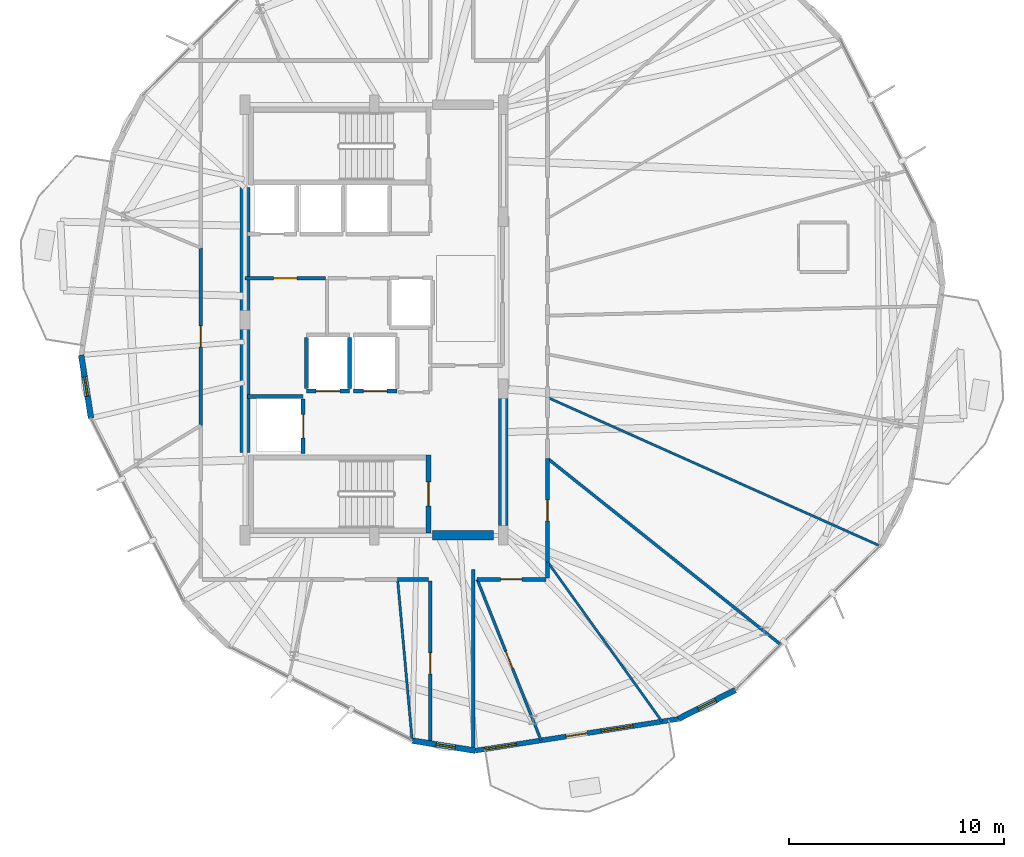
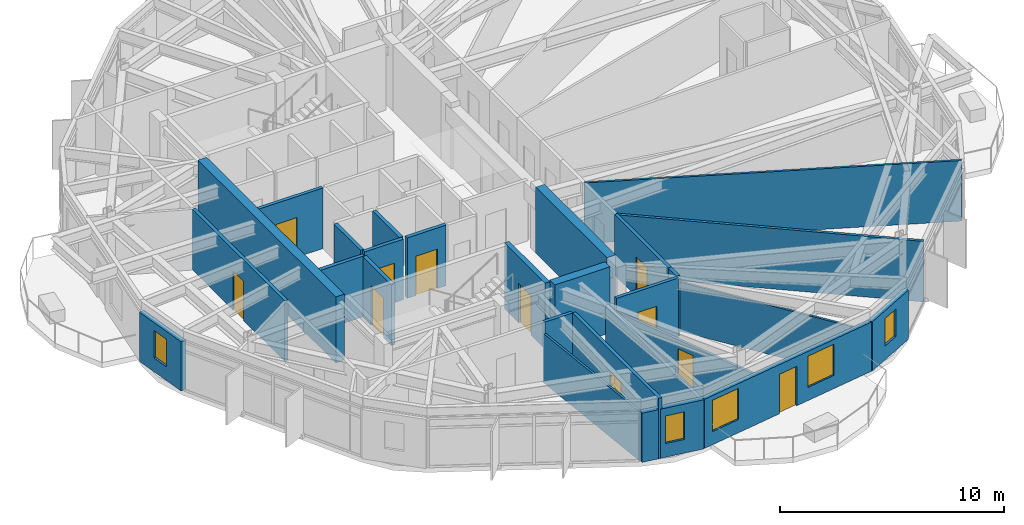
# One storey, part 21 of 27: 27 walls, 11 doors, 5 windows, 16 openings.
"""IFC4 building model written with IfcOpenShell, lengths in metres."""

from ifc_helpers import new_model, si_unit, direction, frame, frame_2d, origin, place, context, subcontext, project, spatial, rectangle, extrude, material, layer, layer_set, type_object, element, fill, save


model = new_model("IFC4")

# Units and contexts
model_context = context("Model", 3, precision=1e-05, world=origin(), true_north=direction((0.0, 1.0)))
body_context = subcontext(model_context, "Body", "Model", "MODEL_VIEW")
ifc_project = project(units=[si_unit("LENGTHUNIT", "METRE"), si_unit("AREAUNIT", "SQUARE_METRE"), si_unit("VOLUMEUNIT", "CUBIC_METRE"), si_unit("PLANEANGLEUNIT", "RADIAN"), si_unit("MASSUNIT", "GRAM", prefix="KILO")], contexts=[model_context])

# Site, building, storey
site_placement = place(None, origin())
site = spatial("IfcSite", under=ifc_project, at=site_placement, CompositionType="ELEMENT")
building_placement = place(site_placement, origin())
building = spatial("IfcBuilding", under=site, at=building_placement, Name="Soratama Intermodal Tower", CompositionType="ELEMENT")
storey_placement = place(building_placement, frame((0.0, 0.0, 197.800048828125)))
storey = spatial("IfcBuildingStorey", under=building, at=storey_placement, Name="L49", CompositionType="ELEMENT", Elevation=197.800048828125)

# Wall, openings, door, windows
ifc_material_1 = material(Name="Concrete f'c 42 MPa", Category="concrete")
ifc_layer_1 = layer(ifc_material_1, 0.22998046875)
ifc_layer_set_1 = layer_set([ifc_layer_1], Name="Concrete f'c 42 MPa")
wall_type_1 = type_object("IfcWallType", Name="EW-BAL-230", PredefinedType="SOLIDWALL", material=ifc_layer_set_1)
wall_1_placement = place(storey_placement, frame((43.291015625, 4.996826171875, 0.0), z_axis=(0.0, 0.0, 1.0), x_axis=(0.988013251918, 0.154369083801, 0.0)))
wall_1 = element("IfcWall", 1, at=wall_1_placement, inside=storey, type_object=wall_type_1, Name="L49 Terrace Wall F07", PredefinedType="SOLIDWALL", context=body_context, shape_type="SweptSolid", body=[
    extrude(rectangle(XDim=9.552490234375, YDim=0.22998046875, at=frame_2d((4.7763671875, 0.0))), origin(), (0.0, 0.0, 1.0), 2.678955078125),
])
opening_1_placement = place(wall_1_placement, frame((4.276123046875, 0.0, 0.0)))
opening_1 = element("IfcOpeningElement", 2, at=opening_1_placement, cuts=wall_1, Name="Opening ED-2", PredefinedType="OPENING", context=body_context, shape_type="SweptSolid", body=[
    extrude(rectangle(XDim=1.0, YDim=2.14990234375, at=frame_2d((0.5, 1.074951171875))), frame((0.0, 0.125, 0.0), z_axis=(0.0, -1.0, 0.0), x_axis=(1.0, 0.0, 0.0)), (0.0, 0.0, 1.0), 0.25),
])
opening_2_placement = place(wall_1_placement, frame((0.43994140625, 0.0, 0.719970703125)))
opening_2 = element("IfcOpeningElement", 3, at=opening_2_placement, cuts=wall_1, Name="Opening WN-1", PredefinedType="OPENING", context=body_context, shape_type="SweptSolid", body=[
    extrude(rectangle(XDim=1.5, YDim=1.699951171875, at=frame_2d((0.75, 0.85009765625))), frame((0.0, 0.125, 0.0), z_axis=(0.0, -1.0, 0.0), x_axis=(1.0, 0.0, 0.0)), (0.0, 0.0, 1.0), 0.25),
])
opening_3_placement = place(wall_1_placement, frame((5.916259765625, 0.0, 0.719970703125)))
opening_3 = element("IfcOpeningElement", 4, at=opening_3_placement, cuts=wall_1, Name="Opening WN-1", PredefinedType="OPENING", context=body_context, shape_type="SweptSolid", body=[
    extrude(rectangle(XDim=1.5, YDim=1.699951171875, at=frame_2d((0.75, 0.85009765625))), frame((0.0, 0.125, 0.0), z_axis=(0.0, -1.0, 0.0), x_axis=(1.0, 0.0, 0.0)), (0.0, 0.0, 1.0), 0.25),
])
ifc_material_2 = material(Name="Double-glazed aluminium door", Category="aluminium")
door_type_1 = type_object("IfcDoorType", Name="DR-BAL-1000", OperationType="NOTDEFINED", PredefinedType="DOOR", material=ifc_material_2)
door_1_placement = place(opening_1_placement, origin())
door_1 = element("IfcDoor", 5, at=door_1_placement, inside=storey, type_object=door_type_1, Name="L49 Balcony Door F07", OperationType="SINGLE_SWING_LEFT", OverallHeight=2.14990234375, OverallWidth=1.0, PredefinedType="DOOR", context=body_context, shape_type="SweptSolid", body=[
    extrude(rectangle(XDim=1.0, YDim=2.14990234375, at=frame_2d((0.5, 1.074951171875))), frame((0.0, 0.02490234375, 0.0), z_axis=(0.0, -1.0, 0.0), x_axis=(1.0, 0.0, 0.0)), (0.0, 0.0, 1.0), 0.050048828125),
])
fill(opening_1, door_1)
ifc_material_3 = material(Name="Double-glazed aluminium window", Category="aluminium")
window_type_1 = type_object("IfcWindowType", Name="WN-FAC-1500", PartitioningType="SINGLE_PANEL", PredefinedType="WINDOW", material=ifc_material_3)
window_1_placement = place(opening_2_placement, origin())
window_1 = element("IfcWindow", 6, at=window_1_placement, inside=storey, type_object=window_type_1, Name="L49 Window A F07", OverallHeight=1.699951171875, OverallWidth=1.5, PartitioningType="SINGLE_PANEL", PredefinedType="WINDOW", context=body_context, shape_type="SweptSolid", body=[
    extrude(rectangle(XDim=1.5, YDim=1.699951171875, at=frame_2d((0.75, 0.85009765625))), frame((0.0, 0.030029296875, 0.0), z_axis=(0.0, -1.0, 0.0), x_axis=(1.0, 0.0, 0.0)), (0.0, 0.0, 1.0), 0.06005859375),
])
fill(opening_2, window_1)
window_2_placement = place(opening_3_placement, origin())
window_2 = element("IfcWindow", 7, at=window_2_placement, inside=storey, type_object=window_type_1, Name="L49 Window B F07", OverallHeight=1.699951171875, OverallWidth=1.5, PartitioningType="SINGLE_PANEL", PredefinedType="WINDOW", context=body_context, shape_type="SweptSolid", body=[
    extrude(rectangle(XDim=1.5, YDim=1.699951171875, at=frame_2d((0.75, 0.85009765625))), frame((0.0, 0.030029296875, 0.0), z_axis=(0.0, -1.0, 0.0), x_axis=(1.0, 0.0, 0.0)), (0.0, 0.0, 1.0), 0.06005859375),
])
fill(opening_3, window_2)

# Wall, opening, window
ifc_material_4 = material(Name="Concrete f'c 42 MPa", Category="concrete")
ifc_layer_2 = layer(ifc_material_4, 0.27001953125)
ifc_layer_set_2 = layer_set([ifc_layer_2], Name="Concrete f'c 42 MPa")
wall_type_2 = type_object("IfcWallType", Name="EW-CRN-270", PredefinedType="SOLIDWALL", material=ifc_layer_set_2)
wall_2_placement = place(storey_placement, frame((24.989990234375, 23.375, 0.0), z_axis=(0.0, 0.0, 1.0), x_axis=(0.154301567716, -0.988023798398, 0.0)))
wall_2 = element("IfcWall", 8, at=wall_2_placement, inside=storey, type_object=wall_type_2, Name="L49 Corner Closure Wall 04", PredefinedType="SOLIDWALL", context=body_context, shape_type="SweptSolid", body=[
    extrude(rectangle(XDim=2.966796875, YDim=0.27001953125, at=frame_2d((1.4833984375, 0.0))), origin(), (0.0, 0.0, 1.0), 2.678955078125),
])
opening_4_placement = place(wall_2_placement, frame((1.033203125, 0.0, 0.75)))
opening_4 = element("IfcOpeningElement", 9, at=opening_4_placement, cuts=wall_2, Name="Opening WN-6", PredefinedType="OPENING", context=body_context, shape_type="SweptSolid", body=[
    extrude(rectangle(XDim=0.89990234375, YDim=1.5, at=frame_2d((0.449951171875, 0.75))), frame((0.0, 0.14501953125, 0.0), z_axis=(0.0, -1.0, 0.0), x_axis=(1.0, 0.0, 0.0)), (0.0, 0.0, 1.0), 0.2900390625),
])
ifc_material_5 = material(Name="Double-glazed aluminium window", Category="aluminium")
window_type_2 = type_object("IfcWindowType", Name="WN-FAC-900", PartitioningType="SINGLE_PANEL", PredefinedType="WINDOW", material=ifc_material_5)
window_3_placement = place(opening_4_placement, origin())
window_3 = element("IfcWindow", 10, at=window_3_placement, inside=storey, type_object=window_type_2, Name="L49 Corner Window 04", OverallHeight=1.5, OverallWidth=0.89990234375, PartitioningType="SINGLE_PANEL", PredefinedType="WINDOW", context=body_context, shape_type="SweptSolid", body=[
    extrude(rectangle(XDim=0.89990234375, YDim=1.5, at=frame_2d((0.449951171875, 0.75))), frame((0.0, 0.030029296875, 0.0), z_axis=(0.0, -1.0, 0.0), x_axis=(1.0, 0.0, 0.0)), (0.0, 0.0, 1.0), 0.06005859375),
])
fill(opening_4, window_3)

wall_3_placement = place(storey_placement, frame((40.362060546875, 5.467041015625, 0.0), z_axis=(0.0, 0.0, 1.0), x_axis=(0.987357295895, -0.158510473609, 0.0)))
wall_3 = element("IfcWall", 11, at=wall_3_placement, inside=storey, type_object=wall_type_2, Name="L49 Corner Closure Wall 06", PredefinedType="SOLIDWALL", context=body_context, shape_type="SweptSolid", body=[
    extrude(rectangle(XDim=2.966552734375, YDim=0.27001953125, at=frame_2d((1.4833984375, 0.0))), origin(), (0.0, 0.0, 1.0), 2.678955078125),
])
opening_5_placement = place(wall_3_placement, frame((1.130615234375, 0.0, 0.75)))
opening_5 = element("IfcOpeningElement", 12, at=opening_5_placement, cuts=wall_3, Name="Opening WN-6", PredefinedType="OPENING", context=body_context, shape_type="SweptSolid", body=[
    extrude(rectangle(XDim=0.89990234375, YDim=1.5, at=frame_2d((0.449951171875, 0.75))), frame((0.0, 0.14501953125, 0.0), z_axis=(0.0, -1.0, 0.0), x_axis=(1.0, 0.0, 0.0)), (0.0, 0.0, 1.0), 0.2900390625),
])
window_4_placement = place(opening_5_placement, origin())
window_4 = element("IfcWindow", 13, at=window_4_placement, inside=storey, type_object=window_type_2, Name="L49 Corner Window 06", OverallHeight=1.5, OverallWidth=0.89990234375, PartitioningType="SINGLE_PANEL", PredefinedType="WINDOW", context=body_context, shape_type="SweptSolid", body=[
    extrude(rectangle(XDim=0.89990234375, YDim=1.5, at=frame_2d((0.449951171875, 0.75))), frame((0.0, 0.030029296875, 0.0), z_axis=(0.0, -1.0, 0.0), x_axis=(1.0, 0.0, 0.0)), (0.0, 0.0, 1.0), 0.06005859375),
])
fill(opening_5, window_4)

wall_4_placement = place(storey_placement, frame((52.72900390625, 6.471435546875, 0.0), z_axis=(0.0, 0.0, 1.0), x_axis=(0.891944623655, 0.452144654213, 0.0)))
wall_4 = element("IfcWall", 14, at=wall_4_placement, inside=storey, type_object=wall_type_2, Name="L49 Corner Closure Wall 07", PredefinedType="SOLIDWALL", context=body_context, shape_type="SweptSolid", body=[
    extrude(rectangle(XDim=2.966552734375, YDim=0.27001953125, at=frame_2d((1.4833984375, 0.0))), origin(), (0.0, 0.0, 1.0), 2.678955078125),
])
opening_6_placement = place(wall_4_placement, frame((1.033203125, 0.0, 0.75)))
opening_6 = element("IfcOpeningElement", 15, at=opening_6_placement, cuts=wall_4, Name="Opening WN-6", PredefinedType="OPENING", context=body_context, shape_type="SweptSolid", body=[
    extrude(rectangle(XDim=0.89990234375, YDim=1.5, at=frame_2d((0.449951171875, 0.75))), frame((0.0, 0.14501953125, 0.0), z_axis=(0.0, -1.0, 0.0), x_axis=(1.0, 0.0, 0.0)), (0.0, 0.0, 1.0), 0.2900390625),
])
window_5_placement = place(opening_6_placement, origin())
window_5 = element("IfcWindow", 16, at=window_5_placement, inside=storey, type_object=window_type_2, Name="L49 Corner Window 07", OverallHeight=1.5, OverallWidth=0.89990234375, PartitioningType="SINGLE_PANEL", PredefinedType="WINDOW", context=body_context, shape_type="SweptSolid", body=[
    extrude(rectangle(XDim=0.89990234375, YDim=1.5, at=frame_2d((0.449951171875, 0.75))), frame((0.0, 0.030029296875, 0.0), z_axis=(0.0, -1.0, 0.0), x_axis=(1.0, 0.0, 0.0)), (0.0, 0.0, 1.0), 0.06005859375),
])
fill(opening_6, window_5)

# Wall, opening, door
ifc_material_6 = material(Name="Fire-rated gypsum stud partition", Category="concrete")
ifc_layer_3 = layer(ifc_material_6, 0.169921875)
ifc_layer_set_3 = layer_set([ifc_layer_3], Name="Fire-rated gypsum stud partition")
wall_type_3 = type_object("IfcWallType", Name="IW-PART-R170", PredefinedType="PARTITIONING", material=ifc_layer_set_3)
wall_5_placement = place(storey_placement, frame((30.550048828125, 20.10595703125, 0.0), z_axis=(0.0, 0.0, 1.0), x_axis=(0.0, 1.0, 0.0)))
wall_5 = element("IfcWall", 17, at=wall_5_placement, inside=storey, type_object=wall_type_3, Name="L49 Partition W-L49-TP010", PredefinedType="PARTITIONING", context=body_context, shape_type="SweptSolid", body=[
    extrude(rectangle(XDim=8.2451171875, YDim=0.169921875, at=frame_2d((4.12255859375, 0.0))), origin(), (0.0, 0.0, 1.0), 3.300048828125),
])
opening_7_placement = place(wall_5_placement, frame((3.64697265625, 0.0, 0.0)))
opening_7 = element("IfcOpeningElement", 18, at=opening_7_placement, cuts=wall_5, Name="Opening ID-5", PredefinedType="OPENING", context=body_context, shape_type="SweptSolid", body=[
    extrude(rectangle(XDim=0.97998046875, YDim=2.14990234375, at=frame_2d((0.489990234375, 1.074951171875))), frame((0.0, 0.094970703125, 0.0), z_axis=(0.0, -1.0, 0.0), x_axis=(1.0, 0.0, 0.0)), (0.0, 0.0, 1.0), 0.18994140625),
])
ifc_material_7 = material(Name="Solid hardwood acoustic door", Category="wood")
door_type_2 = type_object("IfcDoorType", Name="DR-OFF-980", OperationType="NOTDEFINED", PredefinedType="DOOR", material=ifc_material_7)
door_2_placement = place(opening_7_placement, origin())
door_2 = element("IfcDoor", 19, at=door_2_placement, inside=storey, type_object=door_type_2, Name="L49 Door D-L49-TP002", OperationType="SINGLE_SWING_LEFT", OverallHeight=2.14990234375, OverallWidth=0.97998046875, PredefinedType="DOOR", context=body_context, shape_type="SweptSolid", body=[
    extrude(rectangle(XDim=0.97998046875, YDim=2.14990234375, at=frame_2d((0.489990234375, 1.074951171875))), frame((0.0, 0.02490234375, 0.0), z_axis=(0.0, -1.0, 0.0), x_axis=(1.0, 0.0, 0.0)), (0.0, 0.0, 1.0), 0.050048828125),
])
fill(opening_7, door_2)

wall_6_placement = place(storey_placement, frame((41.199951171875, 5.193115234375, 0.0), z_axis=(0.0, 0.0, 1.0), x_axis=(0.0, 1.0, 0.0)))
wall_6 = element("IfcWall", 20, at=wall_6_placement, inside=storey, type_object=wall_type_3, Name="L49 Partition W-L49-TP013", PredefinedType="PARTITIONING", context=body_context, shape_type="SweptSolid", body=[
    extrude(rectangle(XDim=7.686767578125, YDim=0.169921875, at=frame_2d((3.84326171875, 0.0))), origin(), (0.0, 0.0, 1.0), 3.300048828125),
])
opening_8_placement = place(wall_6_placement, frame((3.368896484375, 0.0, 0.0)))
opening_8 = element("IfcOpeningElement", 21, at=opening_8_placement, cuts=wall_6, Name="Opening ID-5", PredefinedType="OPENING", context=body_context, shape_type="SweptSolid", body=[
    extrude(rectangle(XDim=0.97998046875, YDim=2.14990234375, at=frame_2d((0.489990234375, 1.074951171875))), frame((0.0, 0.094970703125, 0.0), z_axis=(0.0, -1.0, 0.0), x_axis=(1.0, 0.0, 0.0)), (0.0, 0.0, 1.0), 0.18994140625),
])
door_3_placement = place(opening_8_placement, origin())
door_3 = element("IfcDoor", 22, at=door_3_placement, inside=storey, type_object=door_type_2, Name="L49 Door D-L49-TP003", OperationType="SINGLE_SWING_RIGHT", OverallHeight=2.14990234375, OverallWidth=0.97998046875, PredefinedType="DOOR", context=body_context, shape_type="SweptSolid", body=[
    extrude(rectangle(XDim=0.97998046875, YDim=2.14990234375, at=frame_2d((0.489990234375, 1.074951171875))), frame((0.0, 0.02490234375, 0.0), z_axis=(0.0, -1.0, 0.0), x_axis=(1.0, 0.0, 0.0)), (0.0, 0.0, 1.0), 0.050048828125),
])
fill(opening_8, door_3)

wall_7_placement = place(storey_placement, frame((46.64990234375, 18.572998046875, 0.0), z_axis=(0.0, 0.0, 1.0), x_axis=(0.0, -1.0, 0.0)))
wall_7 = element("IfcWall", 23, at=wall_7_placement, inside=storey, type_object=wall_type_3, Name="L49 Partition W-L49-TP023", PredefinedType="PARTITIONING", context=body_context, shape_type="SweptSolid", body=[
    extrude(rectangle(XDim=4.803955078125, YDim=0.169921875, at=frame_2d((2.40185546875, 0.0))), origin(), (0.0, 0.0, 1.0), 3.300048828125),
])
opening_9_placement = place(wall_7_placement, frame((1.927001953125, 0.0, 0.0)))
opening_9 = element("IfcOpeningElement", 24, at=opening_9_placement, cuts=wall_7, Name="Opening ID-5", PredefinedType="OPENING", context=body_context, shape_type="SweptSolid", body=[
    extrude(rectangle(XDim=0.97998046875, YDim=2.14990234375, at=frame_2d((0.489990234375, 1.074951171875))), frame((0.0, 0.094970703125, 0.0), z_axis=(0.0, -1.0, 0.0), x_axis=(1.0, 0.0, 0.0)), (0.0, 0.0, 1.0), 0.18994140625),
])
door_4_placement = place(opening_9_placement, origin())
door_4 = element("IfcDoor", 25, at=door_4_placement, inside=storey, type_object=door_type_2, Name="L49 Door D-L49-TP010", OperationType="SINGLE_SWING_LEFT", OverallHeight=2.14990234375, OverallWidth=0.97998046875, PredefinedType="DOOR", context=body_context, shape_type="SweptSolid", body=[
    extrude(rectangle(XDim=0.97998046875, YDim=2.14990234375, at=frame_2d((0.489990234375, 1.074951171875))), frame((0.0, 0.02490234375, 0.0), z_axis=(0.0, -1.0, 0.0), x_axis=(1.0, 0.0, 0.0)), (0.0, 0.0, 1.0), 0.050048828125),
])
fill(opening_9, door_4)

wall_8_placement = place(storey_placement, frame((36.340087890625, 26.93994140625, 0.0), z_axis=(0.0, 0.0, 1.0), x_axis=(-1.0, 0.0, 0.0)))
wall_8 = element("IfcWall", 26, at=wall_8_placement, inside=storey, type_object=wall_type_3, Name="L49 Partition W-L49-TP028", PredefinedType="PARTITIONING", context=body_context, shape_type="SweptSolid", body=[
    extrude(rectangle(XDim=3.739990234375, YDim=0.169921875, at=frame_2d((1.8701171875, 0.0))), origin(), (0.0, 0.0, 1.0), 3.300048828125),
])
opening_10_placement = place(wall_8_placement, frame((1.330078125, 0.0, 0.0)))
opening_10 = element("IfcOpeningElement", 27, at=opening_10_placement, cuts=wall_8, Name="Opening ID-1", PredefinedType="OPENING", context=body_context, shape_type="SweptSolid", body=[
    extrude(rectangle(XDim=1.080078125, YDim=2.14990234375, at=frame_2d((0.5400390625, 1.074951171875))), frame((0.0, 0.094970703125, 0.0), z_axis=(0.0, -1.0, 0.0), x_axis=(1.0, 0.0, 0.0)), (0.0, 0.0, 1.0), 0.18994140625),
])
ifc_material_8 = material(Name="Solid hardwood acoustic door", Category="wood")
door_type_3 = type_object("IfcDoorType", Name="DR-LOB-FD60", OperationType="NOTDEFINED", PredefinedType="DOOR", material=ifc_material_8)
door_5_placement = place(opening_10_placement, origin())
door_5 = element("IfcDoor", 28, at=door_5_placement, inside=storey, type_object=door_type_3, Name="L49 Door D-L49-TP012", OperationType="SINGLE_SWING_LEFT", OverallHeight=2.14990234375, OverallWidth=1.080078125, PredefinedType="DOOR", context=body_context, shape_type="SweptSolid", body=[
    extrude(rectangle(XDim=1.080078125, YDim=2.14990234375, at=frame_2d((0.5400390625, 1.074951171875))), frame((0.0, 0.02490234375, 0.0), z_axis=(0.0, -1.0, 0.0), x_axis=(1.0, 0.0, 0.0)), (0.0, 0.0, 1.0), 0.050048828125),
])
fill(opening_10, door_5)

wall_9_placement = place(storey_placement, frame((46.580078125, 12.949951171875, 0.0), z_axis=(0.0, 0.0, 1.0), x_axis=(-1.0, 0.0, 0.0)))
wall_9 = element("IfcWall", 29, at=wall_9_placement, inside=storey, type_object=wall_type_3, Name="L49 Partition W-L49-TP031", PredefinedType="PARTITIONING", context=body_context, shape_type="SweptSolid", body=[
    extrude(rectangle(XDim=3.197021484375, YDim=0.169921875, at=frame_2d((1.5986328125, 0.0))), origin(), (0.0, 0.0, 1.0), 3.300048828125),
])
opening_11_placement = place(wall_9_placement, frame((1.123046875, 0.0, 0.0)))
opening_11 = element("IfcOpeningElement", 30, at=opening_11_placement, cuts=wall_9, Name="Opening ID-5", PredefinedType="OPENING", context=body_context, shape_type="SweptSolid", body=[
    extrude(rectangle(XDim=0.97998046875, YDim=2.14990234375, at=frame_2d((0.489990234375, 1.074951171875))), frame((0.0, 0.094970703125, 0.0), z_axis=(0.0, -1.0, 0.0), x_axis=(1.0, 0.0, 0.0)), (0.0, 0.0, 1.0), 0.18994140625),
])
door_6_placement = place(opening_11_placement, origin())
door_6 = element("IfcDoor", 31, at=door_6_placement, inside=storey, type_object=door_type_2, Name="L49 Door D-L49-TP014", OperationType="SINGLE_SWING_LEFT", OverallHeight=2.14990234375, OverallWidth=0.97998046875, PredefinedType="DOOR", context=body_context, shape_type="SweptSolid", body=[
    extrude(rectangle(XDim=0.97998046875, YDim=2.14990234375, at=frame_2d((0.489990234375, 1.074951171875))), frame((0.0, 0.02490234375, 0.0), z_axis=(0.0, -1.0, 0.0), x_axis=(1.0, 0.0, 0.0)), (0.0, 0.0, 1.0), 0.050048828125),
])
fill(opening_11, door_6)

# Walls
wall_10_placement = place(storey_placement, frame((41.1298828125, 12.949951171875, 0.0), z_axis=(0.0, 0.0, 1.0), x_axis=(-1.0, 0.0, 0.0)))
element("IfcWall", 32, at=wall_10_placement, inside=storey, type_object=wall_type_3, Name="L49 Partition W-L49-TP049", PredefinedType="PARTITIONING", context=body_context, shape_type="SweptSolid", body=[
    extrude(rectangle(XDim=1.44287109375, YDim=0.169921875, at=frame_2d((0.721435546875, 0.0))), origin(), (0.0, 0.0, 1.0), 3.300048828125),
])
wall_11_placement = place(storey_placement, frame((46.64990234375, 13.76904296875, 0.0), z_axis=(0.0, 0.0, 1.0), x_axis=(0.0, -1.0, 0.0)))
element("IfcWall", 33, at=wall_11_placement, inside=storey, type_object=wall_type_3, Name="L49 Partition W-L49-TP053", PredefinedType="PARTITIONING", context=body_context, shape_type="SweptSolid", body=[
    extrude(rectangle(XDim=0.7490234375, YDim=0.169921875, at=frame_2d((0.37451171875, 0.0))), origin(), (0.0, 0.0, 1.0), 3.300048828125),
])
wall_12_placement = place(storey_placement, frame((43.199951171875, 13.410888671875, 0.0), z_axis=(0.0, 0.0, 1.0), x_axis=(0.0, -1.0, 0.0)))
element("IfcWall", 34, at=wall_12_placement, inside=storey, type_object=wall_type_3, Name="L49 Partition W-L49-TP054", PredefinedType="PARTITIONING", context=body_context, shape_type="SweptSolid", body=[
    extrude(rectangle(XDim=8.413818359375, YDim=0.169921875, at=frame_2d((4.20703125, 0.0))), origin(), (0.0, 0.0, 1.0), 2.677978515625),
])
ifc_material_9 = material(Name="Fire-rated gypsum stud partition", Category="concrete")
ifc_layer_4 = layer(ifc_material_9, 0.110107421875)
ifc_layer_set_4 = layer_set([ifc_layer_4], Name="Fire-rated gypsum stud partition")
wall_type_4 = type_object("IfcWallType", Name="IW-PART-S110", PredefinedType="PARTITIONING", material=ifc_layer_set_4)
wall_13_placement = place(storey_placement, frame((46.64990234375, 21.405029296875, 0.0), z_axis=(0.0, 0.0, 1.0), x_axis=(0.913073312597, -0.407795446055, 0.0)))
element("IfcWall", 35, at=wall_13_placement, inside=storey, type_object=wall_type_4, Name="L49 Partition W-L49-TP004", PredefinedType="PARTITIONING", context=body_context, shape_type="SweptSolid", body=[
    extrude(rectangle(XDim=16.917724609375, YDim=0.110107421875, at=frame_2d((8.458984375, 0.0))), origin(), (0.0, 0.0, 1.0), 3.300048828125),
])
wall_14_placement = place(storey_placement, frame((46.64990234375, 13.76904296875, 0.0), z_axis=(0.0, 0.0, 1.0), x_axis=(0.582566075225, -0.812783346284, 0.0)))
element("IfcWall", 36, at=wall_14_placement, inside=storey, type_object=wall_type_4, Name="L49 Partition W-L49-TP009", PredefinedType="PARTITIONING", context=body_context, shape_type="SweptSolid", body=[
    extrude(rectangle(XDim=9.12548828125, YDim=0.110107421875, at=frame_2d((4.562744140625, 0.0))), origin(), (0.0, 0.0, 1.0), 2.677978515625),
])
wall_15_placement = place(storey_placement, frame((39.68701171875, 12.949951171875, 0.0), z_axis=(0.0, 0.0, 1.0), x_axis=(0.089847214492, -0.995955560278, 0.0)))
element("IfcWall", 37, at=wall_15_placement, inside=storey, type_object=wall_type_4, Name="L49 Partition W-L49-TP014", PredefinedType="PARTITIONING", context=body_context, shape_type="SweptSolid", body=[
    extrude(rectangle(XDim=7.51318359375, YDim=0.110107421875, at=frame_2d((3.756591796875, 0.0))), origin(), (0.0, 0.0, 1.0), 2.677978515625),
])

# Wall, opening, door
ifc_material_10 = material(Name="Fire-rated gypsum stud partition", Category="concrete")
ifc_layer_5 = layer(ifc_material_10, 0.1298828125)
ifc_layer_set_5 = layer_set([ifc_layer_5], Name="Fire-rated gypsum stud partition")
wall_type_5 = type_object("IfcWallType", Name="IW-PART-S130", PredefinedType="PARTITIONING", material=ifc_layer_set_5)
wall_16_placement = place(storey_placement, frame((43.383056640625, 12.949951171875, 0.0), z_axis=(0.0, 0.0, 1.0), x_axis=(0.369039503421, -0.929413710311, 0.0)))
wall_16 = element("IfcWall", 38, at=wall_16_placement, inside=storey, type_object=wall_type_5, Name="L49 Partition W-L49-TP012", PredefinedType="PARTITIONING", context=body_context, shape_type="SweptSolid", body=[
    extrude(rectangle(XDim=8.04248046875, YDim=0.1298828125, at=frame_2d((4.021240234375, 0.0))), origin(), (0.0, 0.0, 1.0), 2.594970703125),
])
opening_12_placement = place(wall_16_placement, frame((3.595947265625, 0.0, 0.0)))
opening_12 = element("IfcOpeningElement", 39, at=opening_12_placement, cuts=wall_16, Name="Opening ID-4", PredefinedType="OPENING", context=body_context, shape_type="SweptSolid", body=[
    extrude(rectangle(XDim=0.85009765625, YDim=2.10009765625, at=frame_2d((0.425048828125, 1.050048828125))), frame((0.0, 0.074951171875, 0.0), z_axis=(0.0, -1.0, 0.0), x_axis=(1.0, 0.0, 0.0)), (0.0, 0.0, 1.0), 0.14990234375),
])
ifc_material_11 = material(Name="Solid hardwood acoustic door", Category="wood")
door_type_4 = type_object("IfcDoorType", Name="DR-BATH-850", OperationType="NOTDEFINED", PredefinedType="DOOR", material=ifc_material_11)
door_7_placement = place(opening_12_placement, origin())
door_7 = element("IfcDoor", 40, at=door_7_placement, inside=storey, type_object=door_type_4, Name="L49 Door D-L49-TP025", OperationType="SINGLE_SWING_LEFT", OverallHeight=2.10009765625, OverallWidth=0.85009765625, PredefinedType="DOOR", context=body_context, shape_type="SweptSolid", body=[
    extrude(rectangle(XDim=0.85009765625, YDim=2.10009765625, at=frame_2d((0.425048828125, 1.050048828125))), frame((0.0, 0.02490234375, 0.0), z_axis=(0.0, -1.0, 0.0), x_axis=(1.0, 0.0, 0.0)), (0.0, 0.0, 1.0), 0.050048828125),
])
fill(opening_12, door_7)

# Wall
ifc_material_12 = material(Name="Fire-rated gypsum stud partition", Category="concrete")
ifc_layer_6 = layer(ifc_material_12, 0.139892578125)
ifc_layer_set_6 = layer_set([ifc_layer_6], Name="Fire-rated gypsum stud partition")
wall_type_6 = type_object("IfcWallType", Name="IW-PART-S140", PredefinedType="PARTITIONING", material=ifc_layer_set_6)
wall_17_placement = place(storey_placement, frame((46.64990234375, 18.572998046875, 0.0), z_axis=(0.0, 0.0, 1.0), x_axis=(0.781502043787, -0.623902681158, 0.0)))
element("IfcWall", 41, at=wall_17_placement, inside=storey, type_object=wall_type_6, Name="L49 Partition W-L49-TP006", PredefinedType="PARTITIONING", context=body_context, shape_type="SweptSolid", body=[
    extrude(rectangle(XDim=13.870849609375, YDim=0.139892578125, at=frame_2d((6.935546875, 0.0))), origin(), (0.0, 0.0, 1.0), 3.300048828125),
])

# Wall, opening, door
ifc_material_13 = material(Name="Concrete f'c 42 MPa", Category="concrete")
ifc_layer_7 = layer(ifc_material_13, 0.18505859375)
ifc_layer_set_7 = layer_set([ifc_layer_7], Name="Concrete f'c 42 MPa")
wall_type_7 = type_object("IfcWallType", Name="IW-SHAFT-185", PredefinedType="SOLIDWALL", material=ifc_layer_set_7)
wall_18_placement = place(storey_placement, frame((35.449951171875, 21.699951171875, 0.0), z_axis=(0.0, 0.0, 1.0), x_axis=(1.0, 0.0, 0.0)))
wall_18 = element("IfcWall", 42, at=wall_18_placement, inside=storey, type_object=wall_type_7, Name="L49 FFL-1 Hoistway Wall S", PredefinedType="SOLIDWALL", context=body_context, shape_type="SweptSolid", body=[
    extrude(rectangle(XDim=2.0, YDim=0.18505859375, at=frame_2d((1.0, 0.0))), origin(), (0.0, 0.0, 1.0), 3.300048828125),
])
opening_13_placement = place(wall_18_placement, frame((0.449951171875, 0.0, 0.0)))
opening_13 = element("IfcOpeningElement", 43, at=opening_13_placement, cuts=wall_18, Name="Opening LD-1", PredefinedType="OPENING", context=body_context, shape_type="SweptSolid", body=[
    extrude(rectangle(XDim=1.10009765625, YDim=2.14990234375, at=frame_2d((0.550048828125, 1.074951171875))), frame((0.0, 0.1025390625, 0.0), z_axis=(0.0, -1.0, 0.0), x_axis=(1.0, 0.0, 0.0)), (0.0, 0.0, 1.0), 0.205078125),
])
ifc_material_14 = material(Name="Steel fire door", Category="steel")
door_type_5 = type_object("IfcDoorType", Name="DR-LIFT-SLIDE", OperationType="NOTDEFINED", PredefinedType="DOOR", material=ifc_material_14)
door_8_placement = place(opening_13_placement, origin())
door_8 = element("IfcDoor", 44, at=door_8_placement, inside=storey, type_object=door_type_5, Name="L49 FFL-1 Sliding Landing Door", OperationType="SLIDING_TO_LEFT", OverallHeight=2.14990234375, OverallWidth=1.10009765625, PredefinedType="DOOR", context=body_context, shape_type="SweptSolid", body=[
    extrude(rectangle(XDim=1.10009765625, YDim=2.14990234375, at=frame_2d((0.550048828125, 1.074951171875))), frame((0.0, 0.02490234375, 0.0), z_axis=(0.0, -1.0, 0.0), x_axis=(1.0, 0.0, 0.0)), (0.0, 0.0, 1.0), 0.050048828125),
])
fill(opening_13, door_8)

# Walls
for number, where, z_axis, x_axis, name in (
    (45, (35.449951171875, 21.81005859375, 0.0), (0.0, 0.0, 1.0), (0.0, 1.0, 0.0), "L49 FFL-1 Hoistway Wall W"),
    (46, (37.449951171875, 21.81005859375, 0.0), (0.0, 0.0, 1.0), (0.0, 1.0, 0.0), "L49 FFL-1 Hoistway Wall E"),
):
    element("IfcWall", number, at=place(storey_placement, frame(where, z_axis=z_axis, x_axis=x_axis)), inside=storey, type_object=wall_type_7, Name=name, PredefinedType="SOLIDWALL", context=body_context, shape_type="SweptSolid", body=[
        extrude(rectangle(XDim=2.3798828125, YDim=0.18505859375, at=frame_2d((1.18994140625, 0.0))), origin(), (0.0, 0.0, 1.0), 3.300048828125),
    ])

# Wall, opening, door
wall_19_placement = place(storey_placement, frame((37.64990234375, 21.699951171875, 0.0), z_axis=(0.0, 0.0, 1.0), x_axis=(1.0, 0.0, 0.0)))
wall_19 = element("IfcWall", 47, at=wall_19_placement, inside=storey, type_object=wall_type_7, Name="L49 FFL-2 Hoistway Wall S", PredefinedType="SOLIDWALL", context=body_context, shape_type="SweptSolid", body=[
    extrude(rectangle(XDim=2.0, YDim=0.18505859375, at=frame_2d((1.0, 0.0))), origin(), (0.0, 0.0, 1.0), 3.300048828125),
])
opening_14_placement = place(wall_19_placement, frame((0.449951171875, 0.0, 0.0)))
opening_14 = element("IfcOpeningElement", 48, at=opening_14_placement, cuts=wall_19, Name="Opening LD-1", PredefinedType="OPENING", context=body_context, shape_type="SweptSolid", body=[
    extrude(rectangle(XDim=1.10009765625, YDim=2.14990234375, at=frame_2d((0.550048828125, 1.074951171875))), frame((0.0, 0.1025390625, 0.0), z_axis=(0.0, -1.0, 0.0), x_axis=(1.0, 0.0, 0.0)), (0.0, 0.0, 1.0), 0.205078125),
])
door_9_placement = place(opening_14_placement, origin())
door_9 = element("IfcDoor", 49, at=door_9_placement, inside=storey, type_object=door_type_5, Name="L49 FFL-2 Sliding Landing Door", OperationType="SLIDING_TO_LEFT", OverallHeight=2.14990234375, OverallWidth=1.10009765625, PredefinedType="DOOR", context=body_context, shape_type="SweptSolid", body=[
    extrude(rectangle(XDim=1.10009765625, YDim=2.14990234375, at=frame_2d((0.550048828125, 1.074951171875))), frame((0.0, 0.02490234375, 0.0), z_axis=(0.0, -1.0, 0.0), x_axis=(1.0, 0.0, 0.0)), (0.0, 0.0, 1.0), 0.050048828125),
])
fill(opening_14, door_9)

# Wall
wall_20_placement = place(storey_placement, frame((32.719970703125, 21.449951171875, 0.0), z_axis=(0.0, 0.0, 1.0), x_axis=(1.0, 0.0, 0.0)))
element("IfcWall", 50, at=wall_20_placement, inside=storey, type_object=wall_type_7, Name="L49 SVL-1 Hoistway Wall N", PredefinedType="SOLIDWALL", context=body_context, shape_type="SweptSolid", body=[
    extrude(rectangle(XDim=2.580078125, YDim=0.18505859375, at=frame_2d((1.2900390625, 0.0))), origin(), (0.0, 0.0, 1.0), 3.300048828125),
])

# Wall, opening, door
wall_21_placement = place(storey_placement, frame((35.300048828125, 18.7900390625, 0.0), z_axis=(0.0, 0.0, 1.0), x_axis=(0.0, 1.0, 0.0)))
wall_21 = element("IfcWall", 51, at=wall_21_placement, inside=storey, type_object=wall_type_7, Name="L49 SVL-1 Hoistway Wall E", PredefinedType="SOLIDWALL", context=body_context, shape_type="SweptSolid", body=[
    extrude(rectangle(XDim=2.550048828125, YDim=0.18505859375, at=frame_2d((1.27490234375, 0.0))), origin(), (0.0, 0.0, 1.0), 3.300048828125),
])
opening_15_placement = place(wall_21_placement, frame((0.72509765625, 0.0, 0.0)))
opening_15 = element("IfcOpeningElement", 52, at=opening_15_placement, cuts=wall_21, Name="Opening LD-1", PredefinedType="OPENING", context=body_context, shape_type="SweptSolid", body=[
    extrude(rectangle(XDim=1.10009765625, YDim=2.14990234375, at=frame_2d((0.550048828125, 1.074951171875))), frame((0.0, 0.1025390625, 0.0), z_axis=(0.0, -1.0, 0.0), x_axis=(1.0, 0.0, 0.0)), (0.0, 0.0, 1.0), 0.205078125),
])
door_10_placement = place(opening_15_placement, origin())
door_10 = element("IfcDoor", 53, at=door_10_placement, inside=storey, type_object=door_type_5, Name="L49 SVL-1 Sliding Landing Door", OperationType="SLIDING_TO_LEFT", OverallHeight=2.14990234375, OverallWidth=1.10009765625, PredefinedType="DOOR", context=body_context, shape_type="SweptSolid", body=[
    extrude(rectangle(XDim=1.10009765625, YDim=2.14990234375, at=frame_2d((0.550048828125, 1.074951171875))), frame((0.0, 0.02490234375, 0.0), z_axis=(0.0, -1.0, 0.0), x_axis=(1.0, 0.0, 0.0)), (0.0, 0.0, 1.0), 0.050048828125),
])
fill(opening_15, door_10)

# Walls
ifc_material_15 = material(Name="Concrete f'c 56 MPa", Category="concrete")
ifc_layer_8 = layer(ifc_material_15, 0.449951171875)
ifc_layer_set_8 = layer_set([ifc_layer_8], Name="Concrete f'c 56 MPa")
wall_type_8 = type_object("IfcWallType", Name="SW-CORE-450", PredefinedType="SHEAR", material=ifc_layer_set_8)
wall_22_placement = place(storey_placement, frame((32.60009765625, 18.85009765625, 0.0), z_axis=(0.0, 0.0, 1.0), x_axis=(0.0, 1.0, 0.0)))
element("IfcWall", 54, at=wall_22_placement, inside=storey, type_object=wall_type_8, Name="L49 Core Shear Wall CW-WMID", PredefinedType="SHEAR", context=body_context, shape_type="SweptSolid", body=[
    extrude(rectangle(XDim=12.2998046875, YDim=0.449951171875, at=frame_2d((6.14990234375, 0.0))), origin(), (0.0, 0.0, 1.0), 3.599853515625),
])
wall_23_placement = place(storey_placement, frame((41.300048828125, 15.0, 0.0), z_axis=(0.0, 0.0, 1.0), x_axis=(1.0, 0.0, 0.0)))
element("IfcWall", 55, at=wall_23_placement, inside=storey, type_object=wall_type_8, Name="L49 Core Shear Wall CW-SE", PredefinedType="SHEAR", context=body_context, shape_type="SweptSolid", body=[
    extrude(rectangle(XDim=2.849853515625, YDim=0.449951171875, at=frame_2d((1.4248046875, 0.0))), origin(), (0.0, 0.0, 1.0), 3.599853515625),
])
wall_24_placement = place(storey_placement, frame((44.60009765625, 15.449951171875, 0.0), z_axis=(0.0, 0.0, 1.0), x_axis=(0.0, 1.0, 0.0)))
element("IfcWall", 56, at=wall_24_placement, inside=storey, type_object=wall_type_8, Name="L49 Core Shear Wall CW-ES", PredefinedType="SHEAR", context=body_context, shape_type="SweptSolid", body=[
    extrude(rectangle(XDim=6.35009765625, YDim=0.449951171875, at=frame_2d((3.175048828125, 0.0))), origin(), (0.0, 0.0, 1.0), 3.599853515625),
])

# Wall, opening, door
ifc_material_16 = material(Name="Concrete f'c 56 MPa", Category="concrete")
ifc_layer_9 = layer(ifc_material_16, 0.239990234375)
ifc_layer_set_9 = layer_set([ifc_layer_9], Name="Concrete f'c 56 MPa")
wall_type_9 = type_object("IfcWallType", Name="SW-STAIR-240", PredefinedType="SHEAR", material=ifc_layer_set_9)
wall_25_placement = place(storey_placement, frame((41.1201171875, 15.110107421875, 0.0), z_axis=(0.0, 0.0, 1.0), x_axis=(0.0, 1.0, 0.0)))
wall_25 = element("IfcWall", 57, at=wall_25_placement, inside=storey, type_object=wall_type_9, Name="L49 ST-1 Shaft Shear Wall E", PredefinedType="SHEAR", context=body_context, shape_type="SweptSolid", body=[
    extrude(rectangle(XDim=3.6298828125, YDim=0.239990234375, at=frame_2d((1.81494140625, 0.0))), origin(), (0.0, 0.0, 1.0), 3.599853515625),
])
opening_16_placement = place(wall_25_placement, frame((1.2548828125, 0.0, 0.0)))
opening_16 = element("IfcOpeningElement", 58, at=opening_16_placement, cuts=wall_25, Name="Opening SD-1", PredefinedType="OPENING", context=body_context, shape_type="SweptSolid", body=[
    extrude(rectangle(XDim=1.1201171875, YDim=2.14990234375, at=frame_2d((0.56005859375, 1.074951171875))), frame((0.0, 0.1298828125, 0.0), z_axis=(0.0, -1.0, 0.0), x_axis=(1.0, 0.0, 0.0)), (0.0, 0.0, 1.0), 0.260009765625),
])
ifc_material_17 = material(Name="Steel fire door", Category="steel")
door_type_6 = type_object("IfcDoorType", Name="DR-STAIR-FD90", OperationType="NOTDEFINED", PredefinedType="DOOR", material=ifc_material_17)
door_11_placement = place(opening_16_placement, origin())
door_11 = element("IfcDoor", 59, at=door_11_placement, inside=storey, type_object=door_type_6, Name="L49 ST-1 Exit Stair Door", OperationType="SINGLE_SWING_LEFT", OverallHeight=2.14990234375, OverallWidth=1.1201171875, PredefinedType="DOOR", context=body_context, shape_type="SweptSolid", body=[
    extrude(rectangle(XDim=1.1201171875, YDim=2.14990234375, at=frame_2d((0.56005859375, 1.074951171875))), frame((0.0, 0.02490234375, 0.0), z_axis=(0.0, -1.0, 0.0), x_axis=(1.0, 0.0, 0.0)), (0.0, 0.0, 1.0), 0.050048828125),
])
fill(opening_16, door_11)

save(model, "model.ifc")
